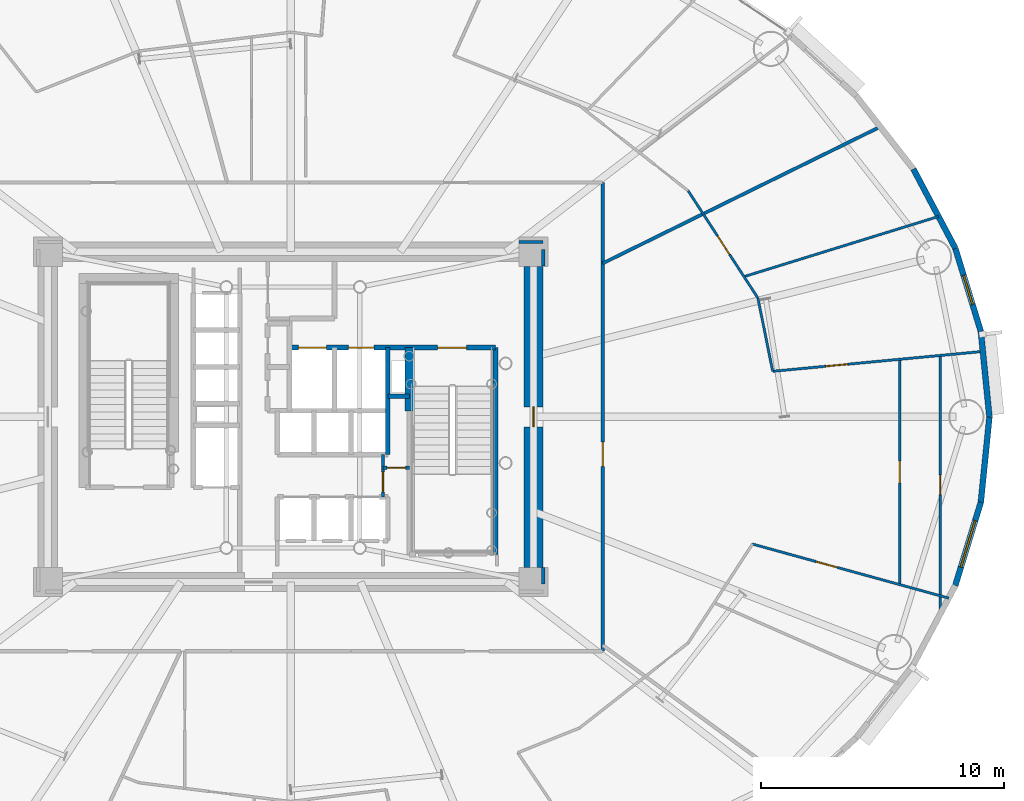
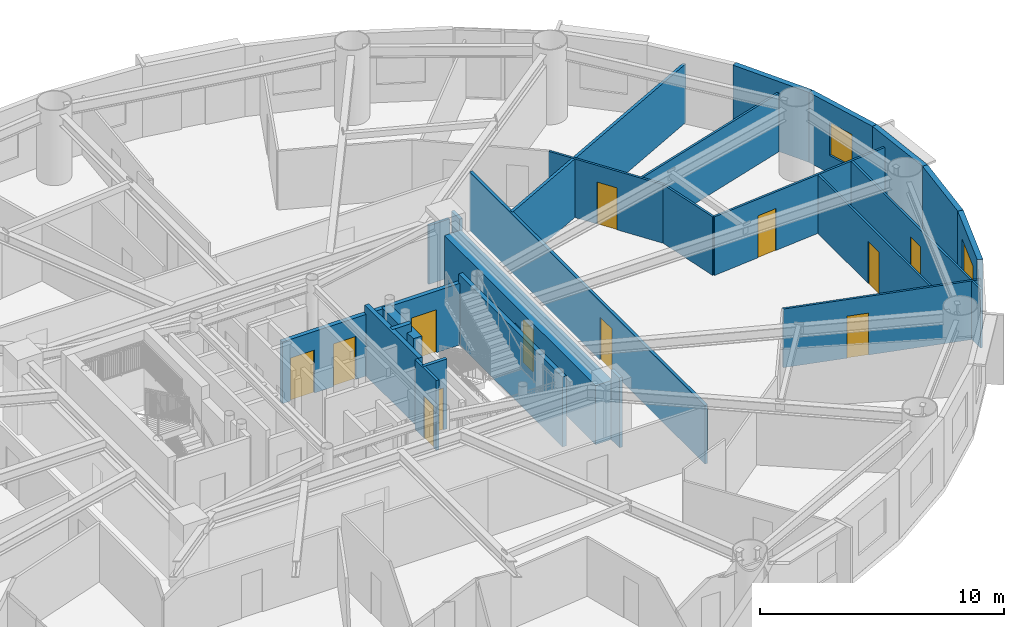
# One storey, part 14 of 21: 25 walls, 12 doors, 2 windows, 14 openings.
"""IFC4 building model written with IfcOpenShell, lengths in metres."""

import ifcopenshell
import ifcopenshell.guid

model = None  # the IFC model being written
_history = None  # IfcOwnerHistory: only IFC2X3 demands one
_inside = {}  # id of a spatial element -> (the spatial element, [elements in it])
_under = {}  # id of a project, library or spatial element -> (it, [spatial elements below it])
_declared = {}  # id of a project -> (the project, [libraries it declares])
_typed = {}  # id of a type object -> (the type object, [elements of that type])
_made_of = {}  # id of a material, layer set ... -> (it, [elements and type objects made of it])


def new_model(schema):
    """Start an empty IFC model of exactly this schema.

    Asked for "IFC4X3", IfcOpenShell would pick the latest addendum, in which some entities
    have other attributes; the version numbers below select the first issue.
    IFC2X3 requires an IfcOwnerHistory on every rooted entity: one is made here for all.
    """
    global model, _history
    if schema == "IFC4X3":
        model = ifcopenshell.file(schema_version=(4, 3, 0, 0))
    else:
        model = ifcopenshell.file(schema=schema)
    _inside.clear()
    _under.clear()
    _declared.clear()
    _typed.clear()
    _made_of.clear()
    _history = None
    if model.schema == "IFC2X3":
        org = make("IfcOrganization", Name="unknown")
        user = make(
            "IfcPersonAndOrganization",
            ThePerson=make("IfcPerson", FamilyName="unknown"),
            TheOrganization=org,
        )
        app = make(
            "IfcApplication",
            ApplicationDeveloper=org,
            Version="unknown",
            ApplicationFullName="unknown",
            ApplicationIdentifier="unknown",
        )
        _history = make(
            "IfcOwnerHistory",
            OwningUser=user,
            OwningApplication=app,
            ChangeAction="ADDED",
            CreationDate=0,
        )
    return model


def make(cls, **values):
    """One entity of the class cls with the attributes given. An attribute that is None is left unset."""
    return model.create_entity(
        cls, **{name: value for name, value in values.items() if value is not None}
    )


def rooted(cls, **values):
    """An entity with a GlobalId (a new one), such as an element, a storey or a relation."""
    return make(cls, GlobalId=ifcopenshell.guid.new(), OwnerHistory=_history, **values)


def si_unit(unit_type, name, prefix=None):
    """IfcSIUnit, for example si_unit("LENGTHUNIT", "METRE", prefix="MILLI")."""
    return make("IfcSIUnit", UnitType=unit_type, Prefix=prefix, Name=name)


def assignment(units):
    """IfcUnitAssignment: the units of a project."""
    return None if units is None else make("IfcUnitAssignment", Units=units)


def point(xyz):
    """IfcCartesianPoint."""
    return None if xyz is None else make("IfcCartesianPoint", Coordinates=xyz)


def direction(xyz):
    """IfcDirection."""
    return None if xyz is None else make("IfcDirection", DirectionRatios=xyz)


def frame(location, z_axis=None, x_axis=None):
    """IfcAxis2Placement3D, a coordinate frame: its origin and axes. An axis left out is left unset."""
    return make(
        "IfcAxis2Placement3D",
        Location=point(location),
        Axis=direction(z_axis),
        RefDirection=direction(x_axis),
    )


def frame_2d(location, x_axis=None):
    """IfcAxis2Placement2D, a coordinate frame in the plane: its origin and x axis."""
    return make(
        "IfcAxis2Placement2D", Location=point(location), RefDirection=direction(x_axis)
    )


def origin():
    """The frame at (0, 0, 0) with its axes left unset."""
    return frame((0.0, 0.0, 0.0))


def origin_2d():
    """The frame at (0, 0) in the plane with its x axis left unset."""
    return frame_2d((0.0, 0.0))


def place(relative_to, where):
    """IfcLocalPlacement: puts the frame where relative to a parent placement (None: the world)."""
    return make(
        "IfcLocalPlacement", PlacementRelTo=relative_to, RelativePlacement=where
    )


def context(
    kind, dimensions, precision=None, world=None, true_north=None, identifier=None
):
    """IfcGeometricRepresentationContext, for example the 3D "Model" context."""
    return make(
        "IfcGeometricRepresentationContext",
        ContextIdentifier=identifier,
        ContextType=kind,
        CoordinateSpaceDimension=dimensions,
        Precision=precision,
        WorldCoordinateSystem=world,
        TrueNorth=true_north,
    )


def subcontext(parent, identifier, kind, view, scale=None):
    """IfcGeometricRepresentationSubContext, for example "Body" below "Model"."""
    return make(
        "IfcGeometricRepresentationSubContext",
        ContextIdentifier=identifier,
        ContextType=kind,
        ParentContext=parent,
        TargetScale=scale,
        TargetView=view,
    )


def project(units=None, contexts=None):
    """IfcProject with its units and contexts."""
    return rooted(
        "IfcProject",
        Name="project",
        RepresentationContexts=contexts,
        UnitsInContext=assignment(units),
    )


def spatial(cls, under=None, at=None, **own):
    """A site, building, storey or space (cls), placed at a placement, below another one or the project."""
    s = rooted(cls, ObjectPlacement=at, **own)
    if under is not None:
        _under.setdefault(under.id(), (under, []))[1].append(s)
    return s


def profile(cls, at=None, kind="AREA", **sizes):
    """A parametric profile (cls). Its sizes go by their IFC names, for example OverallWidth=200.0."""
    return make(cls, ProfileType=kind, Position=at, **sizes)


def rectangle(**sizes):
    """IfcRectangleProfileDef."""
    return profile("IfcRectangleProfileDef", **sizes)


def extrude(swept, where, along, depth):
    """IfcExtrudedAreaSolid: the profile swept, set in the frame where, extruded along a direction by depth."""
    return make(
        "IfcExtrudedAreaSolid",
        SweptArea=swept,
        Position=where,
        ExtrudedDirection=direction(along),
        Depth=depth,
    )


def shape(context_of_items, identifier, shape_type, items):
    """IfcShapeRepresentation: the items that make up one representation, for example the "Body"."""
    return make(
        "IfcShapeRepresentation",
        ContextOfItems=context_of_items,
        RepresentationIdentifier=identifier,
        RepresentationType=shape_type,
        Items=items,
    )


def source(mapping_origin, context_of_items, identifier, shape_type, items):
    """IfcRepresentationMap: a shape defined once, which mapped items show again and again."""
    return make(
        "IfcRepresentationMap",
        MappingOrigin=mapping_origin,
        MappedRepresentation=shape(context_of_items, identifier, shape_type, items),
    )


def transform(
    local_origin,
    x_axis=None,
    y_axis=None,
    z_axis=None,
    scale=None,
    scale2=None,
    scale3=None,
    uniform=True,
):
    """IfcCartesianTransformationOperator3D, or its non-uniform kind. x_axis, y_axis, z_axis: its Axis1, 2, 3."""
    if uniform:
        return make(
            "IfcCartesianTransformationOperator3D",
            Axis1=direction(x_axis),
            Axis2=direction(y_axis),
            LocalOrigin=point(local_origin),
            Scale=scale,
            Axis3=direction(z_axis),
        )
    return make(
        "IfcCartesianTransformationOperator3DnonUniform",
        Axis1=direction(x_axis),
        Axis2=direction(y_axis),
        LocalOrigin=point(local_origin),
        Scale=scale,
        Axis3=direction(z_axis),
        Scale2=scale2,
        Scale3=scale3,
    )


def mapped(mapping_source, mapping_target):
    """IfcMappedItem: shows the shape of a source again, moved by a transform."""
    return make(
        "IfcMappedItem", MappingSource=mapping_source, MappingTarget=mapping_target
    )


def material(Name=None, Category=None):
    """IfcMaterial."""
    return make("IfcMaterial", Name=Name, Category=Category)


def layer(
    of_material, thickness, ventilated=None, Name=None, Category=None, Priority=None
):
    """IfcMaterialLayer: one layer of a wall or slab, of a material (None: an air gap)."""
    return make(
        "IfcMaterialLayer",
        Material=of_material,
        LayerThickness=thickness,
        IsVentilated=ventilated,
        Name=Name,
        Category=Category,
        Priority=Priority,
    )


def layer_set(layers, Name=None):
    """IfcMaterialLayerSet."""
    return make("IfcMaterialLayerSet", MaterialLayers=layers, LayerSetName=Name)


def made_of(thing, what):
    """Note that an element or type object is made of a material, layer set ...; save() writes the relation."""
    if what is not None:
        _made_of.setdefault(what.id(), (what, []))[1].append(thing)
    return thing


def type_object(cls, material=None, **own):
    """A type object (cls), such as IfcWallType, which elements share."""
    return made_of(rooted(cls, **own), material)


def element(
    cls,
    number,
    at=None,
    inside=None,
    cuts=None,
    type_object=None,
    material=None,
    context=None,
    identifier="Body",
    shape_type=None,
    held_by="IfcProductDefinitionShape",
    body=None,
    shapes=None,
    **own,
):
    """One element of the class cls, such as IfcWall. Its Tag is "e" and its number.

    at: its placement. inside: the storey or other place that contains it. cuts: it is an
    opening in that element (IfcRelVoidsElement). A single representation is given by context,
    identifier, shape_type and body (its items); several are given by shapes. held_by: the class
    of the entity that holds the representations. save() writes the other relations.
    """
    e = rooted(cls, Tag="e%d" % number, ObjectPlacement=at, **own)
    if body is not None:
        shapes = [shape(context, identifier, shape_type, body)]
    if shapes is not None:
        e.Representation = make(held_by, Representations=shapes)
    if inside is not None:
        _inside.setdefault(inside.id(), (inside, []))[1].append(e)
    if cuts is not None:
        rooted(
            "IfcRelVoidsElement", RelatingBuildingElement=cuts, RelatedOpeningElement=e
        )
    if type_object is not None:
        _typed.setdefault(type_object.id(), (type_object, []))[1].append(e)
    return made_of(e, material)


def fill(opening, filler):
    """IfcRelFillsElement: the door or window that sits in an opening."""
    return rooted(
        "IfcRelFillsElement",
        RelatingOpeningElement=opening,
        RelatedBuildingElement=filler,
    )


def aggregate(whole, parts):
    """IfcRelAggregates: a whole, such as a stair, and the parts it consists of."""
    return rooted("IfcRelAggregates", RelatingObject=whole, RelatedObjects=parts)


def save(model, path):
    """Write the relations noted so far, then the file.

    IfcRelAggregates (storeys below a building ...), IfcRelContainedInSpatialStructure (elements
    in a storey), IfcRelDefinesByType, IfcRelAssociatesMaterial and IfcRelDeclares: one each for
    every whole, place, type object, material and project.
    """
    for whole, parts in _under.values():
        aggregate(whole, parts)
    for where, things in _inside.values():
        rooted(
            "IfcRelContainedInSpatialStructure",
            RelatedElements=things,
            RelatingStructure=where,
        )
    for kind, things in _typed.values():
        rooted("IfcRelDefinesByType", RelatedObjects=things, RelatingType=kind)
    for what, things in _made_of.values():
        rooted("IfcRelAssociatesMaterial", RelatedObjects=things, RelatingMaterial=what)
    for by, libraries in _declared.values():
        rooted("IfcRelDeclares", RelatingContext=by, RelatedDefinitions=libraries)
    model.write(path)


model = new_model("IFC4")

# Units and contexts
model_context = context("Model", 3, precision=1e-05, world=origin(), true_north=direction((0.0, 1.0)))
body_context = subcontext(model_context, "Body", "Model", "MODEL_VIEW")
ifc_project = project(units=[si_unit("LENGTHUNIT", "METRE"), si_unit("AREAUNIT", "SQUARE_METRE"), si_unit("VOLUMEUNIT", "CUBIC_METRE"), si_unit("PLANEANGLEUNIT", "RADIAN"), si_unit("MASSUNIT", "GRAM", prefix="KILO")], contexts=[model_context])

# Site, building, storey
site_placement = place(None, origin())
site = spatial("IfcSite", under=ifc_project, at=site_placement, CompositionType="ELEMENT")
building_placement = place(site_placement, origin())
building = spatial("IfcBuilding", under=site, at=building_placement, Name="Linh Dai School and Residence Tower", CompositionType="ELEMENT")
storey_placement = place(building_placement, frame((0.0, 0.0, 134.699951171875)))
storey = spatial("IfcBuildingStorey", under=building, at=storey_placement, Name="L32", CompositionType="ELEMENT", Elevation=134.699951171875)

# Wall
ifc_material_1 = material(Name="Precast Concrete B45 (C35/45)", Category="concrete")
ifc_layer_1 = layer(ifc_material_1, 0.239990234375)
ifc_layer_set_1 = layer_set([ifc_layer_1], Name="Precast Concrete B45 (C35/45)")
wall_type_1 = type_object("IfcWallType", Name="EW-TC-240", PredefinedType="SOLIDWALL", material=ifc_layer_set_1)
wall_1_placement = place(storey_placement, frame((64.421630859375, 30.515380859375, 0.0), z_axis=(0.0, 0.0, 1.0), x_axis=(0.099989468229, -0.994988495533, 0.0)))
element("IfcWall", 1, at=wall_1_placement, inside=storey, type_object=wall_type_1, Name="L32 Terracotta Exterior Wall 01", PredefinedType="SOLIDWALL", context=body_context, shape_type="SweptSolid", body=[
    extrude(rectangle(XDim=3.533203125, YDim=0.239990234375, at=frame_2d((1.7666015625, 0.0))), origin(), (0.0, 0.0, 1.0), 3.5),
])

# Wall, opening, window
wall_2_placement = place(storey_placement, frame((63.3701171875, 33.945068359375, 0.0), z_axis=(0.0, 0.0, 1.0), x_axis=(0.293124431344, -0.956074300329, 0.0)))
wall_2 = element("IfcWall", 2, at=wall_2_placement, inside=storey, type_object=wall_type_1, Name="L32 Terracotta Exterior Wall 02", PredefinedType="SOLIDWALL", context=body_context, shape_type="SweptSolid", body=[
    extrude(rectangle(XDim=3.587158203125, YDim=0.239990234375, at=frame_2d((1.79345703125, 0.0))), origin(), (0.0, 0.0, 1.0), 3.5),
])
opening_1_placement = place(wall_2_placement, frame((1.168701171875, 0.0, 0.89990234375)))
opening_1 = element("IfcOpeningElement", 3, at=opening_1_placement, cuts=wall_2, Name="Opening W3", PredefinedType="OPENING", context=body_context, shape_type="SweptSolid", body=[
    extrude(rectangle(XDim=1.25, YDim=1.64990234375, at=origin_2d()), frame((0.625, 0.1298828125, 0.824951171875), z_axis=(0.0, -1.0, 0.0), x_axis=(1.0, 0.0, 0.0)), (0.0, 0.0, 1.0), 0.260009765625),
])
ifc_material_2 = material(Name="Double Low-E Insulated Glazing", Category="glass")
window_type_1 = type_object("IfcWindowType", Name="WN-RES-1250x1650", PartitioningType="SINGLE_PANEL", PredefinedType="WINDOW", material=ifc_material_2)
shared_shape_1 = source(origin(), body_context, "Body", "SweptSolid", [
    extrude(rectangle(XDim=1.25, YDim=1.64990234375, at=origin_2d()), frame((0.625, 0.030029296875, 0.824951171875), z_axis=(0.0, -1.0, 0.0), x_axis=(1.0, 0.0, 0.0)), (0.0, 0.0, 1.0), 0.06005859375),
])
window_1_placement = place(opening_1_placement, origin())
window_1 = element("IfcWindow", 4, at=window_1_placement, inside=storey, type_object=window_type_1, Name="L32 Dwelling Window U3203-BD2", OverallHeight=1.64990234375, OverallWidth=1.25, PartitioningType="SINGLE_PANEL", PredefinedType="WINDOW", context=body_context, shape_type="MappedRepresentation", body=[
    mapped(shared_shape_1, transform((0.0, 0.0, 0.0), x_axis=(1.0, 0.0, 0.0), y_axis=(0.0, 1.0, 0.0), z_axis=(0.0, 0.0, 1.0), scale=1.0)),
])
fill(opening_1, window_1)

# Wall
wall_3_placement = place(storey_placement, frame((61.645263671875, 37.20556640625, 0.0), z_axis=(0.0, 0.0, 1.0), x_axis=(0.467614004126, -0.883932770716, 0.0)))
element("IfcWall", 5, at=wall_3_placement, inside=storey, type_object=wall_type_1, Name="L32 Terracotta Exterior Wall 03", PredefinedType="SOLIDWALL", context=body_context, shape_type="SweptSolid", body=[
    extrude(rectangle(XDim=3.688720703125, YDim=0.239990234375, at=frame_2d((1.84423828125, 0.0))), origin(), (0.0, 0.0, 1.0), 3.5),
])

# Wall, opening, window
wall_4_placement = place(storey_placement, frame((64.421630859375, 23.484619140625, 0.0), z_axis=(0.0, 0.0, 1.0), x_axis=(-0.293124431344, -0.956074300329, 0.0)))
wall_4 = element("IfcWall", 6, at=wall_4_placement, inside=storey, type_object=wall_type_1, Name="L32 Terracotta Exterior Wall 39", PredefinedType="SOLIDWALL", context=body_context, shape_type="SweptSolid", body=[
    extrude(rectangle(XDim=3.587158203125, YDim=0.239990234375, at=frame_2d((1.79345703125, 0.0))), origin(), (0.0, 0.0, 1.0), 3.5),
])
opening_2_placement = place(wall_4_placement, frame((0.793701171875, 0.0, 0.89990234375)))
opening_2 = element("IfcOpeningElement", 7, at=opening_2_placement, cuts=wall_4, Name="Opening W1", PredefinedType="OPENING", context=body_context, shape_type="SweptSolid", body=[
    extrude(rectangle(XDim=2.0, YDim=1.75, at=origin_2d()), frame((1.0, 0.1298828125, 0.875), z_axis=(0.0, -1.0, 0.0), x_axis=(1.0, 0.0, 0.0)), (0.0, 0.0, 1.0), 0.260009765625),
])
window_type_2 = type_object("IfcWindowType", Name="WN-RES-2000x1750", PartitioningType="DOUBLE_PANEL_VERTICAL", PredefinedType="WINDOW", material=ifc_material_2)
shared_shape_2 = source(origin(), body_context, "Body", "SweptSolid", [
    extrude(rectangle(XDim=2.0, YDim=1.75, at=origin_2d()), frame((1.0, 0.030029296875, 0.875), z_axis=(0.0, -1.0, 0.0), x_axis=(1.0, 0.0, 0.0)), (0.0, 0.0, 1.0), 0.06005859375),
])
window_2_placement = place(opening_2_placement, origin())
window_2 = element("IfcWindow", 8, at=window_2_placement, inside=storey, type_object=window_type_2, Name="L32 Exterior Window 39.1", OverallHeight=1.75, OverallWidth=2.0, PartitioningType="DOUBLE_PANEL_VERTICAL", PredefinedType="WINDOW", context=body_context, shape_type="MappedRepresentation", body=[
    mapped(shared_shape_2, transform((0.0, 0.0, 0.0), x_axis=(1.0, 0.0, 0.0), y_axis=(0.0, 1.0, 0.0), z_axis=(0.0, 0.0, 1.0), scale=1.0)),
])
fill(opening_2, window_2)

# Wall
wall_5_placement = place(storey_placement, frame((64.77490234375, 27.0, 0.0), z_axis=(0.0, 0.0, 1.0), x_axis=(-0.099989468229, -0.994988495533, 0.0)))
element("IfcWall", 9, at=wall_5_placement, inside=storey, type_object=wall_type_1, Name="L32 Terracotta Exterior Wall 40", PredefinedType="SOLIDWALL", context=body_context, shape_type="SweptSolid", body=[
    extrude(rectangle(XDim=3.533203125, YDim=0.239990234375, at=frame_2d((1.7666015625, 0.0))), origin(), (0.0, 0.0, 1.0), 3.5),
])

# Wall, opening, door
ifc_material_3 = material(Name="Autoclaved Aerated Concrete Blockwork", Category="masonry")
ifc_layer_2 = layer(ifc_material_3, 0.135009765625)
ifc_layer_set_2 = layer_set([ifc_layer_2], Name="Autoclaved Aerated Concrete Blockwork")
wall_type_2 = type_object("IfcWallType", Name="IW-CORR-135-EI90", PredefinedType="PARTITIONING", material=ifc_layer_set_2)
wall_6_placement = place(storey_placement, frame((39.800048828125, 23.699951171875, 0.0), z_axis=(0.0, 0.0, 1.0), x_axis=(0.0, 1.0, 0.0)))
wall_6 = element("IfcWall", 10, at=wall_6_placement, inside=storey, type_object=wall_type_2, Name="L32 Interior Partition Wall 063", PredefinedType="PARTITIONING", context=body_context, shape_type="SweptSolid", body=[
    extrude(rectangle(XDim=1.75, YDim=0.135009765625, at=frame_2d((0.875, 0.0))), origin(), (0.0, 0.0, 1.0), 3.5),
])
opening_3_placement = place(wall_6_placement, frame((0.2099609375, 0.0, 0.0)))
opening_3 = element("IfcOpeningElement", 11, at=opening_3_placement, cuts=wall_6, Name="Opening D06", PredefinedType="OPENING", context=body_context, shape_type="SweptSolid", body=[
    extrude(rectangle(XDim=0.820068359375, YDim=2.10009765625, at=origin_2d()), frame((0.41015625, 0.07763671875, 1.050048828125), z_axis=(0.0, -1.0, 0.0), x_axis=(1.0, 0.0, 0.0)), (0.0, 0.0, 1.0), 0.155029296875),
])
ifc_material_4 = material(Name="Moisture-Resistant Timber Bathroom Door", Category="wood")
door_type_1 = type_object("IfcDoorType", Name="DR-WET-820x2100", OperationType="NOTDEFINED", PredefinedType="DOOR", material=ifc_material_4)
shared_shape_3 = source(origin(), body_context, "Body", "SweptSolid", [
    extrude(rectangle(XDim=0.820068359375, YDim=2.10009765625, at=origin_2d()), frame((0.41015625, 0.02490234375, 1.050048828125), z_axis=(0.0, -1.0, 0.0), x_axis=(1.0, 0.0, 0.0)), (0.0, 0.0, 1.0), 0.050048828125),
])
door_1_placement = place(opening_3_placement, origin())
door_1 = element("IfcDoor", 12, at=door_1_placement, inside=storey, type_object=door_type_1, Name="L32 SE Electrical Closet Door", OperationType="SINGLE_SWING_LEFT", OverallHeight=2.10009765625, OverallWidth=0.820068359375, PredefinedType="DOOR", context=body_context, shape_type="MappedRepresentation", body=[
    mapped(shared_shape_3, transform((0.0, 0.0, 0.0), x_axis=(1.0, 0.0, 0.0), y_axis=(0.0, 1.0, 0.0), z_axis=(0.0, 0.0, 1.0), scale=1.0)),
])
fill(opening_3, door_1)

wall_7_placement = place(storey_placement, frame((48.85009765625, 17.35009765625, 0.0), z_axis=(0.0, 0.0, 1.0), x_axis=(0.0, 1.0, 0.0)))
wall_7 = element("IfcWall", 13, at=wall_7_placement, inside=storey, type_object=wall_type_2, Name="L32 Interior Partition Wall 080", PredefinedType="PARTITIONING", context=body_context, shape_type="SweptSolid", body=[
    extrude(rectangle(XDim=19.2998046875, YDim=0.135009765625, at=frame_2d((9.64990234375, 0.0))), origin(), (0.0, 0.0, 1.0), 2.93505859375),
])
opening_4_placement = place(wall_7_placement, frame((7.609130859375, 0.0, 0.0)))
opening_4 = element("IfcOpeningElement", 14, at=opening_4_placement, cuts=wall_7, Name="Opening D03", PredefinedType="OPENING", context=body_context, shape_type="SweptSolid", body=[
    extrude(rectangle(XDim=1.0, YDim=2.14990234375, at=origin_2d()), frame((0.5, 0.07763671875, 1.074951171875), z_axis=(0.0, -1.0, 0.0), x_axis=(1.0, 0.0, 0.0)), (0.0, 0.0, 1.0), 0.155029296875),
])
ifc_material_5 = material(Name="Fire-Rated Solid Timber Entrance Door", Category="wood")
door_type_2 = type_object("IfcDoorType", Name="DR-FLAT-1000x2150-FD60S", OperationType="NOTDEFINED", PredefinedType="DOOR", material=ifc_material_5)
shared_shape_4 = source(origin(), body_context, "Body", "SweptSolid", [
    extrude(rectangle(XDim=1.0, YDim=2.14990234375, at=origin_2d()), frame((0.5, 0.02490234375, 1.074951171875), z_axis=(0.0, -1.0, 0.0), x_axis=(1.0, 0.0, 0.0)), (0.0, 0.0, 1.0), 0.050048828125),
])
door_2_placement = place(opening_4_placement, origin())
door_2 = element("IfcDoor", 15, at=door_2_placement, inside=storey, type_object=door_type_2, Name="L32 U3203 Apartment Entrance Door", OperationType="SINGLE_SWING_RIGHT", OverallHeight=2.14990234375, OverallWidth=1.0, PredefinedType="DOOR", context=body_context, shape_type="MappedRepresentation", body=[
    mapped(shared_shape_4, transform((0.0, 0.0, 0.0), x_axis=(1.0, 0.0, 0.0), y_axis=(0.0, 1.0, 0.0), z_axis=(0.0, 0.0, 1.0), scale=1.0)),
])
fill(opening_4, door_2)

# Walls
wall_8_placement = place(storey_placement, frame((48.85009765625, 33.322998046875, 0.0), z_axis=(0.0, 0.0, 1.0), x_axis=(0.897255437174, 0.44151181237, 0.0)))
element("IfcWall", 16, at=wall_8_placement, inside=storey, type_object=wall_type_2, Name="L32 Interior Partition Wall 082", PredefinedType="PARTITIONING", context=body_context, shape_type="SweptSolid", body=[
    extrude(rectangle(XDim=12.745849609375, YDim=0.135009765625, at=frame_2d((6.373046875, 0.0))), origin(), (0.0, 0.0, 1.0), 2.93505859375),
])
wall_9_placement = place(storey_placement, frame((46.39990234375, 34.199951171875, 0.0), z_axis=(0.0, 0.0, 1.0), x_axis=(-1.0, 0.0, 0.0)))
element("IfcWall", 17, at=wall_9_placement, inside=storey, type_object=wall_type_2, Name="L32 Interior Partition Wall 105", PredefinedType="PARTITIONING", context=body_context, shape_type="SweptSolid", body=[
    extrude(rectangle(XDim=0.989990234375, YDim=0.135009765625, at=frame_2d((0.4951171875, 0.0))), origin(), (0.0, 0.0, 1.0), 2.93505859375),
])
for number, where, z_axis, x_axis, name in (
    (18, (46.39990234375, 20.107421875, 0.0), (0.0, 0.0, 1.0), (0.0, 1.0, 0.0), "L32 Interior Partition Wall 111"),
    (19, (46.39990234375, 33.2099609375, 0.0), (0.0, 0.0, 1.0), (0.0, 1.0, 0.0), "L32 Interior Partition Wall 112"),
):
    element("IfcWall", number, at=place(storey_placement, frame(where, z_axis=z_axis, x_axis=x_axis)), inside=storey, type_object=wall_type_2, Name=name, PredefinedType="PARTITIONING", context=body_context, shape_type="SweptSolid", body=[
        extrude(rectangle(XDim=0.6826171875, YDim=0.135009765625, at=frame_2d((0.34130859375, 0.0))), origin(), (0.0, 0.0, 1.0), 3.5),
    ])

# Wall, opening, door
ifc_layer_3 = layer(ifc_material_3, 0.14990234375)
ifc_layer_set_3 = layer_set([ifc_layer_3], Name="Autoclaved Aerated Concrete Blockwork")
wall_type_3 = type_object("IfcWallType", Name="IW-SCH-150-EI60", PredefinedType="PARTITIONING", material=ifc_layer_set_3)
wall_10_placement = place(storey_placement, frame((39.800048828125, 24.89990234375, 0.0), z_axis=(0.0, 0.0, 1.0), x_axis=(1.0, 0.0, 0.0)))
wall_10 = element("IfcWall", 20, at=wall_10_placement, inside=storey, type_object=wall_type_3, Name="L32 Interior Partition Wall 064", PredefinedType="PARTITIONING", context=body_context, shape_type="SweptSolid", body=[
    extrude(rectangle(XDim=1.099853515625, YDim=0.14990234375, at=frame_2d((0.5498046875, 0.0))), origin(), (0.0, 0.0, 1.0), 3.5),
])
opening_5_placement = place(wall_10_placement, frame((0.169921875, 0.0, 0.0)))
opening_5 = element("IfcOpeningElement", 21, at=opening_5_placement, cuts=wall_10, Name="Opening D08", PredefinedType="OPENING", context=body_context, shape_type="SweptSolid", body=[
    extrude(rectangle(XDim=0.760009765625, YDim=2.10009765625, at=origin_2d()), frame((0.3798828125, 0.0849609375, 1.050048828125), z_axis=(0.0, -1.0, 0.0), x_axis=(1.0, 0.0, 0.0)), (0.0, 0.0, 1.0), 0.169921875),
])
ifc_material_6 = material(Name="Engineered Timber Closet and Study Door", Category="wood")
door_type_3 = type_object("IfcDoorType", Name="DR-CMP-760x2100", OperationType="NOTDEFINED", PredefinedType="DOOR", material=ifc_material_6)
shared_shape_5 = source(origin(), body_context, "Body", "SweptSolid", [
    extrude(rectangle(XDim=0.760009765625, YDim=2.10009765625, at=origin_2d()), frame((0.3798828125, 0.02490234375, 1.050048828125), z_axis=(0.0, -1.0, 0.0), x_axis=(1.0, 0.0, 0.0)), (0.0, 0.0, 1.0), 0.050048828125),
])
door_3_placement = place(opening_5_placement, origin())
door_3 = element("IfcDoor", 22, at=door_3_placement, inside=storey, type_object=door_type_3, Name="L32 NE Equipment Store Door", OperationType="SINGLE_SWING_RIGHT", OverallHeight=2.10009765625, OverallWidth=0.760009765625, PredefinedType="DOOR", context=body_context, shape_type="MappedRepresentation", body=[
    mapped(shared_shape_5, transform((0.0, 0.0, 0.0), x_axis=(1.0, 0.0, 0.0), y_axis=(0.0, 1.0, 0.0), z_axis=(0.0, 0.0, 1.0), scale=1.0)),
])
fill(opening_5, door_3)

# Wall, openings, doors
ifc_material_7 = material(Name="Concrete B45 (C35/45)", Category="concrete")
ifc_layer_4 = layer(ifc_material_7, 0.199951171875)
ifc_layer_set_4 = layer_set([ifc_layer_4], Name="Concrete B45 (C35/45)")
wall_type_4 = type_object("IfcWallType", Name="IW-SHAFT-200-EI120", PredefinedType="PARTITIONING", material=ifc_layer_set_4)
wall_11_placement = place(storey_placement, frame((35.949951171875, 29.85009765625, 0.0), z_axis=(0.0, 0.0, 1.0), x_axis=(1.0, 0.0, 0.0)))
wall_11 = element("IfcWall", 23, at=wall_11_placement, inside=storey, type_object=wall_type_4, Name="L32 Interior Partition Wall 048", PredefinedType="PARTITIONING", context=body_context, shape_type="SweptSolid", body=[
    extrude(rectangle(XDim=8.489990234375, YDim=0.199951171875, at=frame_2d((4.2451171875, 0.0))), origin(), (0.0, 0.0, 1.0), 3.0849609375),
])
opening_6_placement = place(wall_11_placement, frame((6.10009765625, 0.0, 0.0)))
opening_6 = element("IfcOpeningElement", 24, at=opening_6_placement, cuts=wall_11, Name="Opening D01", PredefinedType="OPENING", context=body_context, shape_type="SweptSolid", body=[
    extrude(rectangle(XDim=1.199951171875, YDim=2.14990234375, at=origin_2d()), frame((0.60009765625, 0.10986328125, 1.074951171875), z_axis=(0.0, -1.0, 0.0), x_axis=(1.0, 0.0, 0.0)), (0.0, 0.0, 1.0), 0.219970703125),
])
opening_7_placement = place(wall_11_placement, frame((0.3701171875, 0.0, 0.0)))
opening_7 = element("IfcOpeningElement", 25, at=opening_7_placement, cuts=wall_11, Name="Opening LD-FF1", PredefinedType="OPENING", context=body_context, shape_type="SweptSolid", body=[
    extrude(rectangle(XDim=1.14990234375, YDim=2.14990234375, at=origin_2d()), frame((0.574951171875, 0.10986328125, 1.074951171875), z_axis=(0.0, -1.0, 0.0), x_axis=(1.0, 0.0, 0.0)), (0.0, 0.0, 1.0), 0.219970703125),
])
opening_8_placement = place(wall_11_placement, frame((2.425048828125, 0.0, 0.0)))
opening_8 = element("IfcOpeningElement", 26, at=opening_8_placement, cuts=wall_11, Name="Opening LD-SV1", PredefinedType="OPENING", context=body_context, shape_type="SweptSolid", body=[
    extrude(rectangle(XDim=1.050048828125, YDim=2.14990234375, at=origin_2d()), frame((0.52490234375, 0.10986328125, 1.074951171875), z_axis=(0.0, -1.0, 0.0), x_axis=(1.0, 0.0, 0.0)), (0.0, 0.0, 1.0), 0.219970703125),
])
ifc_material_8 = material(Name="Fire-Rated Steel Door Leaf", Category="steel")
door_type_4 = type_object("IfcDoorType", Name="DR-STAIR-1200x2150-FD90S", OperationType="NOTDEFINED", PredefinedType="DOOR", material=ifc_material_8)
shared_shape_6 = source(origin(), body_context, "Body", "SweptSolid", [
    extrude(rectangle(XDim=1.199951171875, YDim=2.14990234375, at=origin_2d()), frame((0.60009765625, 0.02490234375, 1.074951171875), z_axis=(0.0, -1.0, 0.0), x_axis=(1.0, 0.0, 0.0)), (0.0, 0.0, 1.0), 0.050048828125),
])
door_4_placement = place(opening_6_placement, origin())
door_4 = element("IfcDoor", 27, at=door_4_placement, inside=storey, type_object=door_type_4, Name="L32 Core Smokeproof Exit Stair ST2 Door", OperationType="SINGLE_SWING_RIGHT", OverallHeight=2.14990234375, OverallWidth=1.199951171875, PredefinedType="DOOR", context=body_context, shape_type="MappedRepresentation", body=[
    mapped(shared_shape_6, transform((0.0, 0.0, 0.0), x_axis=(1.0, 0.0, 0.0), y_axis=(0.0, 1.0, 0.0), z_axis=(0.0, 0.0, 1.0), scale=1.0)),
])
fill(opening_6, door_4)
ifc_material_9 = material(Name="Fire-Rated Stainless Steel Firefighting Lift Door", Category="steel")
door_type_5 = type_object("IfcDoorType", Name="DR-LD-FF-1150x2150-FD120", OperationType="DOUBLE_DOOR_SLIDING", PredefinedType="USERDEFINED", material=ifc_material_9)
shared_shape_7 = source(origin(), body_context, "Body", "SweptSolid", [
    extrude(rectangle(XDim=1.14990234375, YDim=2.14990234375, at=origin_2d()), frame((0.574951171875, 0.02490234375, 1.074951171875), z_axis=(0.0, -1.0, 0.0), x_axis=(1.0, 0.0, 0.0)), (0.0, 0.0, 1.0), 0.050048828125),
])
door_5_placement = place(opening_7_placement, origin())
door_5 = element("IfcDoor", 28, at=door_5_placement, inside=storey, type_object=door_type_5, Name="L32 Lift FF1 Sliding Landing Door", ObjectType="LANDING DOOR", OperationType="DOUBLE_DOOR_SLIDING", OverallHeight=2.14990234375, OverallWidth=1.14990234375, PredefinedType="USERDEFINED", context=body_context, shape_type="MappedRepresentation", body=[
    mapped(shared_shape_7, transform((0.0, 0.0, 0.0), x_axis=(1.0, 0.0, 0.0), y_axis=(0.0, 1.0, 0.0), z_axis=(0.0, 0.0, 1.0), scale=1.0)),
])
fill(opening_7, door_5)
ifc_material_10 = material(Name="Brushed Stainless Steel Lift Landing Door", Category="steel")
door_type_6 = type_object("IfcDoorType", Name="DR-LD-PASS-1050x2150", OperationType="DOUBLE_DOOR_SLIDING", PredefinedType="USERDEFINED", material=ifc_material_10)
shared_shape_8 = source(origin(), body_context, "Body", "SweptSolid", [
    extrude(rectangle(XDim=1.050048828125, YDim=2.14990234375, at=origin_2d()), frame((0.52490234375, 0.02490234375, 1.074951171875), z_axis=(0.0, -1.0, 0.0), x_axis=(1.0, 0.0, 0.0)), (0.0, 0.0, 1.0), 0.050048828125),
])
door_6_placement = place(opening_8_placement, origin())
door_6 = element("IfcDoor", 29, at=door_6_placement, inside=storey, type_object=door_type_6, Name="L32 Lift SV1 Sliding Landing Door", ObjectType="LANDING DOOR", OperationType="DOUBLE_DOOR_SLIDING", OverallHeight=2.14990234375, OverallWidth=1.050048828125, PredefinedType="USERDEFINED", context=body_context, shape_type="MappedRepresentation", body=[
    mapped(shared_shape_8, transform((0.0, 0.0, 0.0), x_axis=(1.0, 0.0, 0.0), y_axis=(0.0, 1.0, 0.0), z_axis=(0.0, 0.0, 1.0), scale=1.0)),
])
fill(opening_8, door_6)

# Walls
wall_12_placement = place(storey_placement, frame((40.0, 25.449951171875, 0.0), z_axis=(0.0, 0.0, 1.0), x_axis=(0.0, 1.0, 0.0)))
element("IfcWall", 30, at=wall_12_placement, inside=storey, type_object=wall_type_4, Name="L32 Interior Partition Wall 067", PredefinedType="PARTITIONING", context=body_context, shape_type="SweptSolid", body=[
    extrude(rectangle(XDim=4.400146484375, YDim=0.199951171875, at=frame_2d((2.2001953125, 0.0))), origin(), (0.0, 0.0, 1.0), 3.5),
])
wall_13_placement = place(storey_placement, frame((40.0, 27.85009765625, 0.0), z_axis=(0.0, 0.0, 1.0), x_axis=(1.0, 0.0, 0.0)))
element("IfcWall", 31, at=wall_13_placement, inside=storey, type_object=wall_type_4, Name="L32 Interior Partition Wall 068", PredefinedType="PARTITIONING", context=body_context, shape_type="SweptSolid", body=[
    extrude(rectangle(XDim=0.89990234375, YDim=0.199951171875, at=frame_2d((0.449951171875, 0.0))), origin(), (0.0, 0.0, 1.0), 3.5),
])
wall_14_placement = place(storey_placement, frame((44.43994140625, 21.330078125, 0.0), z_axis=(0.0, 0.0, 1.0), x_axis=(0.0, 1.0, 0.0)))
element("IfcWall", 32, at=wall_14_placement, inside=storey, type_object=wall_type_4, Name="L32 Interior Partition Wall 074", PredefinedType="PARTITIONING", context=body_context, shape_type="SweptSolid", body=[
    extrude(rectangle(XDim=8.52001953125, YDim=0.199951171875, at=frame_2d((4.260009765625, 0.0))), origin(), (0.0, 0.0, 1.0), 3.5),
])

# Wall, opening, door
ifc_material_11 = material(Name="Gypsum Plasterboard Acoustic Stud Partition", Category="masonry")
ifc_layer_5 = layer(ifc_material_11, 0.10009765625)
ifc_layer_set_5 = layer_set([ifc_layer_5], Name="Gypsum Plasterboard Acoustic Stud Partition")
wall_type_5 = type_object("IfcWallType", Name="IW-UNIT-100", PredefinedType="PARTITIONING", material=ifc_layer_set_5)
wall_15_placement = place(storey_placement, frame((52.366455078125, 36.31103515625, 0.0), z_axis=(0.0, 0.0, 1.0), x_axis=(0.545405249109, -0.838172484781, 0.0)))
wall_15 = element("IfcWall", 33, at=wall_15_placement, inside=storey, type_object=wall_type_5, Name="L32 Interior Partition Wall 085", PredefinedType="PARTITIONING", context=body_context, shape_type="SweptSolid", body=[
    extrude(rectangle(XDim=5.2685546875, YDim=0.10009765625, at=frame_2d((2.63427734375, 0.0))), origin(), (0.0, 0.0, 1.0), 2.93505859375),
])
opening_9_placement = place(wall_15_placement, frame((2.228271484375, 0.0, 0.0)))
opening_9 = element("IfcOpeningElement", 34, at=opening_9_placement, cuts=wall_15, Name="Opening D05", PredefinedType="OPENING", context=body_context, shape_type="SweptSolid", body=[
    extrude(rectangle(XDim=0.89990234375, YDim=2.10009765625, at=origin_2d()), frame((0.449951171875, 0.06005859375, 1.050048828125), z_axis=(0.0, -1.0, 0.0), x_axis=(1.0, 0.0, 0.0)), (0.0, 0.0, 1.0), 0.1201171875),
])
ifc_material_12 = material(Name="Engineered Timber Internal Door", Category="wood")
door_type_7 = type_object("IfcDoorType", Name="DR-INT-900x2100", OperationType="NOTDEFINED", PredefinedType="DOOR", material=ifc_material_12)
shared_shape_9 = source(origin(), body_context, "Body", "SweptSolid", [
    extrude(rectangle(XDim=0.89990234375, YDim=2.10009765625, at=origin_2d()), frame((0.449951171875, 0.02490234375, 1.050048828125), z_axis=(0.0, -1.0, 0.0), x_axis=(1.0, 0.0, 0.0)), (0.0, 0.0, 1.0), 0.050048828125),
])
door_7_placement = place(opening_9_placement, origin())
door_7 = element("IfcDoor", 35, at=door_7_placement, inside=storey, type_object=door_type_7, Name="L32 Apartment U3203 Study Door", OperationType="SINGLE_SWING_RIGHT", OverallHeight=2.10009765625, OverallWidth=0.89990234375, PredefinedType="DOOR", context=body_context, shape_type="MappedRepresentation", body=[
    mapped(shared_shape_9, transform((0.0, 0.0, 0.0), x_axis=(1.0, 0.0, 0.0), y_axis=(0.0, 1.0, 0.0), z_axis=(0.0, 0.0, 1.0), scale=1.0)),
])
fill(opening_9, door_7)

# Wall
wall_16_placement = place(storey_placement, frame((54.66796875, 32.774169921875, 0.0), z_axis=(0.0, 0.0, 1.0), x_axis=(0.955345753083, 0.295490257144, 0.0)))
element("IfcWall", 36, at=wall_16_placement, inside=storey, type_object=wall_type_5, Name="L32 Interior Partition Wall 087", PredefinedType="PARTITIONING", context=body_context, shape_type="SweptSolid", body=[
    extrude(rectangle(XDim=8.390380859375, YDim=0.10009765625, at=frame_2d((4.1953125, 0.0))), origin(), (0.0, 0.0, 1.0), 2.93505859375),
])

# Wall, opening, door
wall_17_placement = place(storey_placement, frame((55.0166015625, 21.761962890625, 0.0), z_axis=(0.0, 0.0, 1.0), x_axis=(0.964092156587, -0.265567907714, 0.0)))
wall_17 = element("IfcWall", 37, at=wall_17_placement, inside=storey, type_object=wall_type_5, Name="L32 Interior Partition Wall 088", PredefinedType="PARTITIONING", context=body_context, shape_type="SweptSolid", body=[
    extrude(rectangle(XDim=8.385009765625, YDim=0.10009765625, at=frame_2d((4.1923828125, 0.0))), origin(), (0.0, 0.0, 1.0), 2.93505859375),
])
opening_10_placement = place(wall_17_placement, frame((2.71728515625, 0.0, 0.0)))
opening_10 = element("IfcOpeningElement", 38, at=opening_10_placement, cuts=wall_17, Name="Opening D05", PredefinedType="OPENING", context=body_context, shape_type="SweptSolid", body=[
    extrude(rectangle(XDim=0.89990234375, YDim=2.10009765625, at=origin_2d()), frame((0.449951171875, 0.06005859375, 1.050048828125), z_axis=(0.0, -1.0, 0.0), x_axis=(1.0, 0.0, 0.0)), (0.0, 0.0, 1.0), 0.1201171875),
])
door_8_placement = place(opening_10_placement, origin())
door_8 = element("IfcDoor", 39, at=door_8_placement, inside=storey, type_object=door_type_7, Name="L32 Apartment U3203 Study Door", OperationType="SINGLE_SWING_RIGHT", OverallHeight=2.10009765625, OverallWidth=0.89990234375, PredefinedType="DOOR", context=body_context, shape_type="MappedRepresentation", body=[
    mapped(shared_shape_9, transform((0.0, 0.0, 0.0), x_axis=(1.0, 0.0, 0.0), y_axis=(0.0, 1.0, 0.0), z_axis=(0.0, 0.0, 1.0), scale=1.0)),
])
fill(opening_10, door_8)

# Wall
wall_18_placement = place(storey_placement, frame((55.239990234375, 31.89501953125, 0.0), z_axis=(0.0, 0.0, 1.0), x_axis=(0.198189059207, -0.980163811213, 0.0)))
element("IfcWall", 40, at=wall_18_placement, inside=storey, type_object=wall_type_5, Name="L32 Interior Partition Wall 089", PredefinedType="PARTITIONING", context=body_context, shape_type="SweptSolid", body=[
    extrude(rectangle(XDim=3.07958984375, YDim=0.10009765625, at=frame_2d((1.539794921875, 0.0))), origin(), (0.0, 0.0, 1.0), 2.93505859375),
])

# Wall, opening, door
wall_19_placement = place(storey_placement, frame((55.850341796875, 28.87646484375, 0.0), z_axis=(0.0, 0.0, 1.0), x_axis=(0.995563342767, 0.094093732729, 0.0)))
wall_19 = element("IfcWall", 41, at=wall_19_placement, inside=storey, type_object=wall_type_5, Name="L32 Interior Partition Wall 090", PredefinedType="PARTITIONING", context=body_context, shape_type="SweptSolid", body=[
    extrude(rectangle(XDim=8.697265625, YDim=0.10009765625, at=frame_2d((4.3486328125, 0.0))), origin(), (0.0, 0.0, 1.0), 2.93505859375),
])
opening_11_placement = place(wall_19_placement, frame((2.19921875, 0.0, 0.0)))
opening_11 = element("IfcOpeningElement", 42, at=opening_11_placement, cuts=wall_19, Name="Opening D05", PredefinedType="OPENING", context=body_context, shape_type="SweptSolid", body=[
    extrude(rectangle(XDim=0.89990234375, YDim=2.10009765625, at=origin_2d()), frame((0.449951171875, 0.06005859375, 1.050048828125), z_axis=(0.0, -1.0, 0.0), x_axis=(1.0, 0.0, 0.0)), (0.0, 0.0, 1.0), 0.1201171875),
])
door_9_placement = place(opening_11_placement, origin())
door_9 = element("IfcDoor", 43, at=door_9_placement, inside=storey, type_object=door_type_7, Name="L32 Apartment U3203 Principal Bedroom 2 Door", OperationType="SINGLE_SWING_LEFT", OverallHeight=2.10009765625, OverallWidth=0.89990234375, PredefinedType="DOOR", context=body_context, shape_type="MappedRepresentation", body=[
    mapped(shared_shape_9, transform((0.0, 0.0, 0.0), x_axis=(1.0, 0.0, 0.0), y_axis=(0.0, 1.0, 0.0), z_axis=(0.0, 0.0, 1.0), scale=1.0)),
])
fill(opening_11, door_9)

wall_20_placement = place(storey_placement, frame((61.08544921875, 20.09033203125, 0.0), z_axis=(0.0, 0.0, 1.0), x_axis=(0.0, 1.0, 0.0)))
wall_20 = element("IfcWall", 44, at=wall_20_placement, inside=storey, type_object=wall_type_5, Name="L32 Interior Partition Wall 091", PredefinedType="PARTITIONING", context=body_context, shape_type="SweptSolid", body=[
    extrude(rectangle(XDim=9.281005859375, YDim=0.10009765625, at=frame_2d((4.640625, 0.0))), origin(), (0.0, 0.0, 1.0), 2.93505859375),
])
opening_12_placement = place(wall_20_placement, frame((4.1904296875, 0.0, 0.0)))
opening_12 = element("IfcOpeningElement", 45, at=opening_12_placement, cuts=wall_20, Name="Opening D05", PredefinedType="OPENING", context=body_context, shape_type="SweptSolid", body=[
    extrude(rectangle(XDim=0.89990234375, YDim=2.10009765625, at=origin_2d()), frame((0.449951171875, 0.06005859375, 1.050048828125), z_axis=(0.0, -1.0, 0.0), x_axis=(1.0, 0.0, 0.0)), (0.0, 0.0, 1.0), 0.1201171875),
])
door_10_placement = place(opening_12_placement, origin())
door_10 = element("IfcDoor", 46, at=door_10_placement, inside=storey, type_object=door_type_7, Name="L32 Apartment U3203 Kitchen Door", OperationType="SINGLE_SWING_LEFT", OverallHeight=2.10009765625, OverallWidth=0.89990234375, PredefinedType="DOOR", context=body_context, shape_type="MappedRepresentation", body=[
    mapped(shared_shape_9, transform((0.0, 0.0, 0.0), x_axis=(1.0, 0.0, 0.0), y_axis=(0.0, 1.0, 0.0), z_axis=(0.0, 0.0, 1.0), scale=1.0)),
])
fill(opening_12, door_10)

wall_21_placement = place(storey_placement, frame((62.75390625, 18.879638671875, 0.0), z_axis=(0.0, 0.0, 1.0), x_axis=(0.0, 1.0, 0.0)))
wall_21 = element("IfcWall", 47, at=wall_21_placement, inside=storey, type_object=wall_type_5, Name="L32 Interior Partition Wall 092", PredefinedType="PARTITIONING", context=body_context, shape_type="SweptSolid", body=[
    extrude(rectangle(XDim=10.6494140625, YDim=0.10009765625, at=frame_2d((5.32470703125, 0.0))), origin(), (0.0, 0.0, 1.0), 2.93505859375),
])
opening_13_placement = place(wall_21_placement, frame((4.914794921875, 0.0, 0.0)))
opening_13 = element("IfcOpeningElement", 48, at=opening_13_placement, cuts=wall_21, Name="Opening D06", PredefinedType="OPENING", context=body_context, shape_type="SweptSolid", body=[
    extrude(rectangle(XDim=0.820068359375, YDim=2.10009765625, at=origin_2d()), frame((0.41015625, 0.06005859375, 1.050048828125), z_axis=(0.0, -1.0, 0.0), x_axis=(1.0, 0.0, 0.0)), (0.0, 0.0, 1.0), 0.1201171875),
])
door_11_placement = place(opening_13_placement, origin())
door_11 = element("IfcDoor", 49, at=door_11_placement, inside=storey, type_object=door_type_1, Name="L32 Apartment U3203 Bathroom 1 Door", OperationType="SINGLE_SWING_RIGHT", OverallHeight=2.10009765625, OverallWidth=0.820068359375, PredefinedType="DOOR", context=body_context, shape_type="MappedRepresentation", body=[
    mapped(shared_shape_3, transform((0.0, 0.0, 0.0), x_axis=(1.0, 0.0, 0.0), y_axis=(0.0, 1.0, 0.0), z_axis=(0.0, 0.0, 1.0), scale=1.0)),
])
fill(opening_13, door_11)

# Wall
ifc_layer_6 = layer(ifc_material_7, 0.39990234375)
ifc_layer_set_6 = layer_set([ifc_layer_6], Name="Concrete B45 (C35/45)")
wall_type_6 = type_object("IfcWallType", Name="WL-CORE400", PredefinedType="SHEAR", material=ifc_layer_set_6)
wall_22_placement = place(storey_placement, frame((40.89990234375, 27.25, 0.0), z_axis=(0.0, 0.0, 1.0), x_axis=(0.0, 1.0, 0.0)))
element("IfcWall", 50, at=wall_22_placement, inside=storey, type_object=wall_type_6, Name="L32 Internal Core Shear Wall IE", PredefinedType="SHEAR", context=body_context, shape_type="SweptSolid", body=[
    extrude(rectangle(XDim=2.60009765625, YDim=0.39990234375, at=frame_2d((1.300048828125, 0.0))), origin(), (0.0, 0.0, 1.0), 3.10009765625),
])

# Wall, opening, door
ifc_material_13 = material(Name="Concrete B60 (C50/60)", Category="concrete")
ifc_layer_7 = layer(ifc_material_13, 0.800048828125)
ifc_layer_set_7 = layer_set([ifc_layer_7], Name="Concrete B60 (C50/60)")
wall_type_7 = type_object("IfcWallType", Name="WL-CORE800", PredefinedType="SHEAR", material=ifc_layer_set_7)
wall_23_placement = place(storey_placement, frame((46.0, 33.199951171875, 0.0), z_axis=(0.0, 0.0, 1.0), x_axis=(0.0, -1.0, 0.0)))
wall_23 = element("IfcWall", 51, at=wall_23_placement, inside=storey, type_object=wall_type_7, Name="L32 Central Core Shear Wall E", PredefinedType="SHEAR", context=body_context, shape_type="SweptSolid", body=[
    extrude(rectangle(XDim=12.39990234375, YDim=0.800048828125, at=frame_2d((6.199951171875, 0.0))), origin(), (0.0, 0.0, 1.0), 2.949951171875),
])
opening_14_placement = place(wall_23_placement, frame((5.7900390625, 0.0, 0.0)))
opening_14 = element("IfcOpeningElement", 52, at=opening_14_placement, cuts=wall_23, Name="Opening D06", PredefinedType="OPENING", context=body_context, shape_type="SweptSolid", body=[
    extrude(rectangle(XDim=0.820068359375, YDim=2.10009765625, at=origin_2d()), frame((0.41015625, 0.41015625, 1.050048828125), z_axis=(0.0, -1.0, 0.0), x_axis=(1.0, 0.0, 0.0)), (0.0, 0.0, 1.0), 0.820068359375),
])
door_12_placement = place(opening_14_placement, origin())
door_12 = element("IfcDoor", 53, at=door_12_placement, inside=storey, type_object=door_type_1, Name="L32 Firefighting Lobby Door", OperationType="SINGLE_SWING_LEFT", OverallHeight=2.10009765625, OverallWidth=0.820068359375, PredefinedType="DOOR", context=body_context, shape_type="MappedRepresentation", body=[
    mapped(shared_shape_3, transform((0.0, 0.0, 0.0), x_axis=(1.0, 0.0, 0.0), y_axis=(0.0, 1.0, 0.0), z_axis=(0.0, 0.0, 1.0), scale=1.0)),
])
fill(opening_14, door_12)

save(model, "model.ifc")
